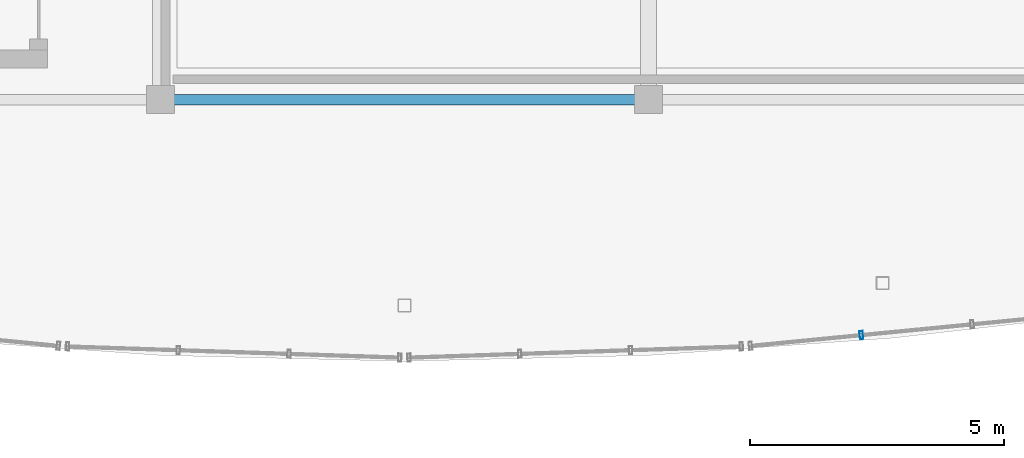
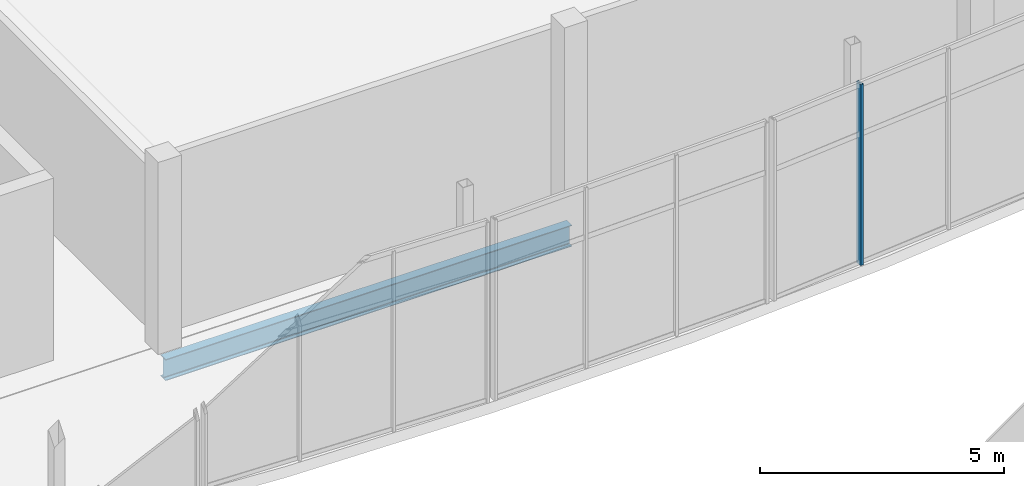
# One storey, part 82 of 157: 1 beam, 1 member, 1 element without a shape of its own.
"""IFC4 building model written with IfcOpenShell, lengths in metres."""

import ifcopenshell
import ifcopenshell.guid

model = None  # the IFC model being written
_history = None  # IfcOwnerHistory: only IFC2X3 demands one
_inside = {}  # id of a spatial element -> (the spatial element, [elements in it])
_under = {}  # id of a project, library or spatial element -> (it, [spatial elements below it])
_declared = {}  # id of a project -> (the project, [libraries it declares])
_typed = {}  # id of a type object -> (the type object, [elements of that type])
_made_of = {}  # id of a material, layer set ... -> (it, [elements and type objects made of it])


def new_model(schema):
    """Start an empty IFC model of exactly this schema.

    Asked for "IFC4X3", IfcOpenShell would pick the latest addendum, in which some entities
    have other attributes; the version numbers below select the first issue.
    IFC2X3 requires an IfcOwnerHistory on every rooted entity: one is made here for all.
    """
    global model, _history
    if schema == "IFC4X3":
        model = ifcopenshell.file(schema_version=(4, 3, 0, 0))
    else:
        model = ifcopenshell.file(schema=schema)
    _inside.clear()
    _under.clear()
    _declared.clear()
    _typed.clear()
    _made_of.clear()
    _history = None
    if model.schema == "IFC2X3":
        org = make("IfcOrganization", Name="unknown")
        user = make(
            "IfcPersonAndOrganization",
            ThePerson=make("IfcPerson", FamilyName="unknown"),
            TheOrganization=org,
        )
        app = make(
            "IfcApplication",
            ApplicationDeveloper=org,
            Version="unknown",
            ApplicationFullName="unknown",
            ApplicationIdentifier="unknown",
        )
        _history = make(
            "IfcOwnerHistory",
            OwningUser=user,
            OwningApplication=app,
            ChangeAction="ADDED",
            CreationDate=0,
        )
    return model


def make(cls, **values):
    """One entity of the class cls with the attributes given. An attribute that is None is left unset."""
    return model.create_entity(
        cls, **{name: value for name, value in values.items() if value is not None}
    )


def rooted(cls, **values):
    """An entity with a GlobalId (a new one), such as an element, a storey or a relation."""
    return make(cls, GlobalId=ifcopenshell.guid.new(), OwnerHistory=_history, **values)


def si_unit(unit_type, name, prefix=None):
    """IfcSIUnit, for example si_unit("LENGTHUNIT", "METRE", prefix="MILLI")."""
    return make("IfcSIUnit", UnitType=unit_type, Prefix=prefix, Name=name)


def assignment(units):
    """IfcUnitAssignment: the units of a project."""
    return None if units is None else make("IfcUnitAssignment", Units=units)


def point(xyz):
    """IfcCartesianPoint."""
    return None if xyz is None else make("IfcCartesianPoint", Coordinates=xyz)


def direction(xyz):
    """IfcDirection."""
    return None if xyz is None else make("IfcDirection", DirectionRatios=xyz)


def frame(location, z_axis=None, x_axis=None):
    """IfcAxis2Placement3D, a coordinate frame: its origin and axes. An axis left out is left unset."""
    return make(
        "IfcAxis2Placement3D",
        Location=point(location),
        Axis=direction(z_axis),
        RefDirection=direction(x_axis),
    )


def frame_2d(location, x_axis=None):
    """IfcAxis2Placement2D, a coordinate frame in the plane: its origin and x axis."""
    return make(
        "IfcAxis2Placement2D", Location=point(location), RefDirection=direction(x_axis)
    )


def origin():
    """The frame at (0, 0, 0) with its axes left unset."""
    return frame((0.0, 0.0, 0.0))


def origin_2d():
    """The frame at (0, 0) in the plane with its x axis left unset."""
    return frame_2d((0.0, 0.0))


def place(relative_to, where):
    """IfcLocalPlacement: puts the frame where relative to a parent placement (None: the world)."""
    return make(
        "IfcLocalPlacement", PlacementRelTo=relative_to, RelativePlacement=where
    )


def context(
    kind, dimensions, precision=None, world=None, true_north=None, identifier=None
):
    """IfcGeometricRepresentationContext, for example the 3D "Model" context."""
    return make(
        "IfcGeometricRepresentationContext",
        ContextIdentifier=identifier,
        ContextType=kind,
        CoordinateSpaceDimension=dimensions,
        Precision=precision,
        WorldCoordinateSystem=world,
        TrueNorth=true_north,
    )


def subcontext(parent, identifier, kind, view, scale=None):
    """IfcGeometricRepresentationSubContext, for example "Body" below "Model"."""
    return make(
        "IfcGeometricRepresentationSubContext",
        ContextIdentifier=identifier,
        ContextType=kind,
        ParentContext=parent,
        TargetScale=scale,
        TargetView=view,
    )


def project(units=None, contexts=None):
    """IfcProject with its units and contexts."""
    return rooted(
        "IfcProject",
        Name="project",
        RepresentationContexts=contexts,
        UnitsInContext=assignment(units),
    )


def spatial(cls, under=None, at=None, **own):
    """A site, building, storey or space (cls), placed at a placement, below another one or the project."""
    s = rooted(cls, ObjectPlacement=at, **own)
    if under is not None:
        _under.setdefault(under.id(), (under, []))[1].append(s)
    return s


def profile(cls, at=None, kind="AREA", **sizes):
    """A parametric profile (cls). Its sizes go by their IFC names, for example OverallWidth=200.0."""
    return make(cls, ProfileType=kind, Position=at, **sizes)


def hollow_rectangle(**sizes):
    """IfcRectangleHollowProfileDef."""
    return profile("IfcRectangleHollowProfileDef", **sizes)


def i_section(**sizes):
    """IfcIShapeProfileDef."""
    return profile("IfcIShapeProfileDef", **sizes)


def extrude(swept, where, along, depth):
    """IfcExtrudedAreaSolid: the profile swept, set in the frame where, extruded along a direction by depth."""
    return make(
        "IfcExtrudedAreaSolid",
        SweptArea=swept,
        Position=where,
        ExtrudedDirection=direction(along),
        Depth=depth,
    )


def shape(context_of_items, identifier, shape_type, items):
    """IfcShapeRepresentation: the items that make up one representation, for example the "Body"."""
    return make(
        "IfcShapeRepresentation",
        ContextOfItems=context_of_items,
        RepresentationIdentifier=identifier,
        RepresentationType=shape_type,
        Items=items,
    )


def material(Name=None, Category=None):
    """IfcMaterial."""
    return make("IfcMaterial", Name=Name, Category=Category)


def layer(
    of_material, thickness, ventilated=None, Name=None, Category=None, Priority=None
):
    """IfcMaterialLayer: one layer of a wall or slab, of a material (None: an air gap)."""
    return make(
        "IfcMaterialLayer",
        Material=of_material,
        LayerThickness=thickness,
        IsVentilated=ventilated,
        Name=Name,
        Category=Category,
        Priority=Priority,
    )


def layer_set(layers, Name=None):
    """IfcMaterialLayerSet."""
    return make("IfcMaterialLayerSet", MaterialLayers=layers, LayerSetName=Name)


def material_profile(
    of_material, cross_section, Name=None, Category=None, Priority=None
):
    """IfcMaterialProfile: a cross section and its material."""
    return make(
        "IfcMaterialProfile",
        Name=Name,
        Material=of_material,
        Profile=cross_section,
        Priority=Priority,
        Category=Category,
    )


def profile_set(profiles, Name=None, composite=None):
    """IfcMaterialProfileSet."""
    return make(
        "IfcMaterialProfileSet",
        Name=Name,
        MaterialProfiles=profiles,
        CompositeProfile=composite,
    )


def made_of(thing, what):
    """Note that an element or type object is made of a material, layer set ...; save() writes the relation."""
    if what is not None:
        _made_of.setdefault(what.id(), (what, []))[1].append(thing)
    return thing


def type_object(cls, material=None, **own):
    """A type object (cls), such as IfcWallType, which elements share."""
    return made_of(rooted(cls, **own), material)


def element(
    cls,
    number,
    at=None,
    inside=None,
    cuts=None,
    type_object=None,
    material=None,
    context=None,
    identifier="Body",
    shape_type=None,
    held_by="IfcProductDefinitionShape",
    body=None,
    shapes=None,
    **own,
):
    """One element of the class cls, such as IfcWall. Its Tag is "e" and its number.

    at: its placement. inside: the storey or other place that contains it. cuts: it is an
    opening in that element (IfcRelVoidsElement). A single representation is given by context,
    identifier, shape_type and body (its items); several are given by shapes. held_by: the class
    of the entity that holds the representations. save() writes the other relations.
    """
    e = rooted(cls, Tag="e%d" % number, ObjectPlacement=at, **own)
    if body is not None:
        shapes = [shape(context, identifier, shape_type, body)]
    if shapes is not None:
        e.Representation = make(held_by, Representations=shapes)
    if inside is not None:
        _inside.setdefault(inside.id(), (inside, []))[1].append(e)
    if cuts is not None:
        rooted(
            "IfcRelVoidsElement", RelatingBuildingElement=cuts, RelatedOpeningElement=e
        )
    if type_object is not None:
        _typed.setdefault(type_object.id(), (type_object, []))[1].append(e)
    return made_of(e, material)


def aggregate(whole, parts):
    """IfcRelAggregates: a whole, such as a stair, and the parts it consists of."""
    return rooted("IfcRelAggregates", RelatingObject=whole, RelatedObjects=parts)


def save(model, path):
    """Write the relations noted so far, then the file.

    IfcRelAggregates (storeys below a building ...), IfcRelContainedInSpatialStructure (elements
    in a storey), IfcRelDefinesByType, IfcRelAssociatesMaterial and IfcRelDeclares: one each for
    every whole, place, type object, material and project.
    """
    for whole, parts in _under.values():
        aggregate(whole, parts)
    for where, things in _inside.values():
        rooted(
            "IfcRelContainedInSpatialStructure",
            RelatedElements=things,
            RelatingStructure=where,
        )
    for kind, things in _typed.values():
        rooted("IfcRelDefinesByType", RelatedObjects=things, RelatingType=kind)
    for what, things in _made_of.values():
        rooted("IfcRelAssociatesMaterial", RelatedObjects=things, RelatingMaterial=what)
    for by, libraries in _declared.values():
        rooted("IfcRelDeclares", RelatingContext=by, RelatedDefinitions=libraries)
    model.write(path)


model = new_model("IFC4")

# Units and contexts
model_context = context("Model", 3, precision=1e-05, world=origin(), true_north=direction((0.0, 1.0)))
body_context = subcontext(model_context, "Body", "Model", "MODEL_VIEW")
ifc_project = project(units=[si_unit("LENGTHUNIT", "METRE"), si_unit("AREAUNIT", "SQUARE_METRE"), si_unit("VOLUMEUNIT", "CUBIC_METRE"), si_unit("PLANEANGLEUNIT", "RADIAN"), si_unit("MASSUNIT", "GRAM", prefix="KILO")], contexts=[model_context])

# Site, building, storey
site_placement = place(None, origin())
site = spatial("IfcSite", under=ifc_project, at=site_placement, CompositionType="ELEMENT")
building_placement = place(site_placement, origin())
building = spatial("IfcBuilding", under=site, at=building_placement, Name="Chalmorin Arch Market", CompositionType="ELEMENT")
storey_placement = place(building_placement, frame((0.0, 0.0, 4.800048828125)))
storey = spatial("IfcBuildingStorey", under=building, at=storey_placement, Name="L01", CompositionType="ELEMENT", Elevation=4.800048828125)

# Curtain wall, member
ifc_material_1 = material(Name="Aluminium 6063-T6", Category="aluminium")
ifc_layer = layer(ifc_material_1, 0.159912109375)
ifc_layer_set = layer_set([ifc_layer], Name="Aluminium 6063-T6")
curtain_wall_type = type_object("IfcCurtainWallType", Name="CulinaryStudioCurtainWall-CW3-6570x4520", PredefinedType="NOTDEFINED", material=ifc_layer_set)
curtain_wall_placement = place(storey_placement, origin())
curtain_wall = element("IfcCurtainWall", 1, at=curtain_wall_placement, inside=storey, type_object=curtain_wall_type, Name="CW-03-168", PredefinedType="NOTDEFINED")
ifc_material_profile_1 = material_profile(ifc_material_1, hollow_rectangle(XDim=0.06494140625, YDim=0.159912109375, WallThickness=0.00390625, at=origin_2d()), Name="ALU65X160X4")
ifc_profile_set_1 = profile_set([ifc_material_profile_1], Name="Aluminium 6063-T6")
member_type = type_object("IfcMemberType", Name="CurtainWallMullion-65x160", PredefinedType="MULLION", material=ifc_profile_set_1)
member_placement = place(storey_placement, frame((90.58984375, 67.365966796875, 0.0), z_axis=(0.0, 0.0, 1.0), x_axis=(0.994521895368, 0.104528463268, 0.0)))
member = element("IfcMember", 2, at=member_placement, type_object=member_type, Name="ML-168-02", PredefinedType="MULLION", context=body_context, shape_type="SweptSolid", body=[
    extrude(hollow_rectangle(XDim=0.06494140625, YDim=0.159912109375, WallThickness=0.00390625, at=origin_2d()), origin(), (0.0, 0.0, 1.0), 4.52001953125),
])
aggregate(curtain_wall, [member])

# Beam
ifc_material_2 = material(Name="Steel A992 Grade 50", Category="steel")
ifc_material_profile_2 = material_profile(ifc_material_2, i_section(OverallWidth=0.208984375, OverallDepth=0.532958984375, WebThickness=0.01025390625, FlangeThickness=0.015625, FilletRadius=0.02197265625, at=origin_2d()), Name="W21X62")
ifc_profile_set_2 = profile_set([ifc_material_profile_2], Name="Steel A992 Grade 50")
beam_type = type_object("IfcBeamType", Name="PerimeterSpandrelBeam-W21X62", PredefinedType="SPANDREL", material=ifc_profile_set_2)
beam_placement = place(storey_placement, frame((76.800048828125, 72.0, -0.588623046875), z_axis=(1.0, 0.0, 0.0), x_axis=(0.0, 1.0, 0.0)))
element("IfcBeam", 3, at=beam_placement, inside=storey, type_object=beam_type, Name="SP-W21-0916", PredefinedType="SPANDREL", context=body_context, shape_type="SweptSolid", body=[
    extrude(i_section(OverallWidth=0.208984375, OverallDepth=0.532958984375, WebThickness=0.01025390625, FlangeThickness=0.015625, FilletRadius=0.02197265625, at=origin_2d()), origin(), (0.0, 0.0, 1.0), 9.599853515625),
])

save(model, "model.ifc")
